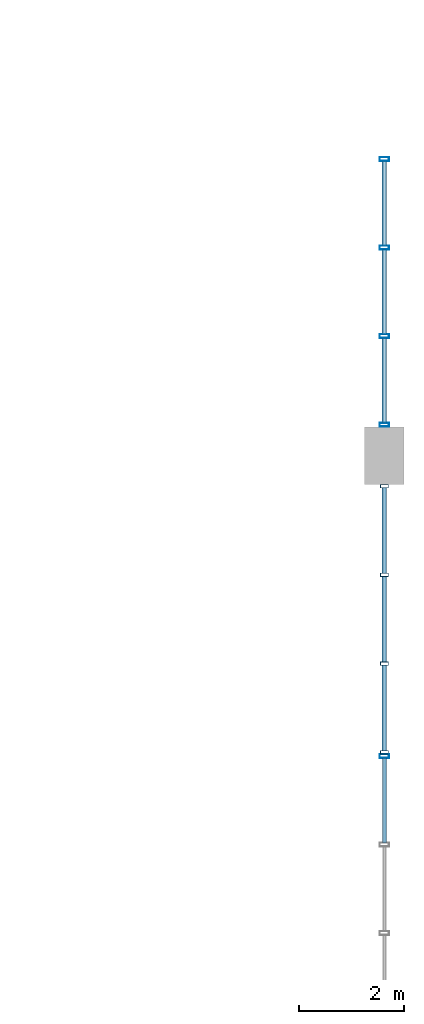
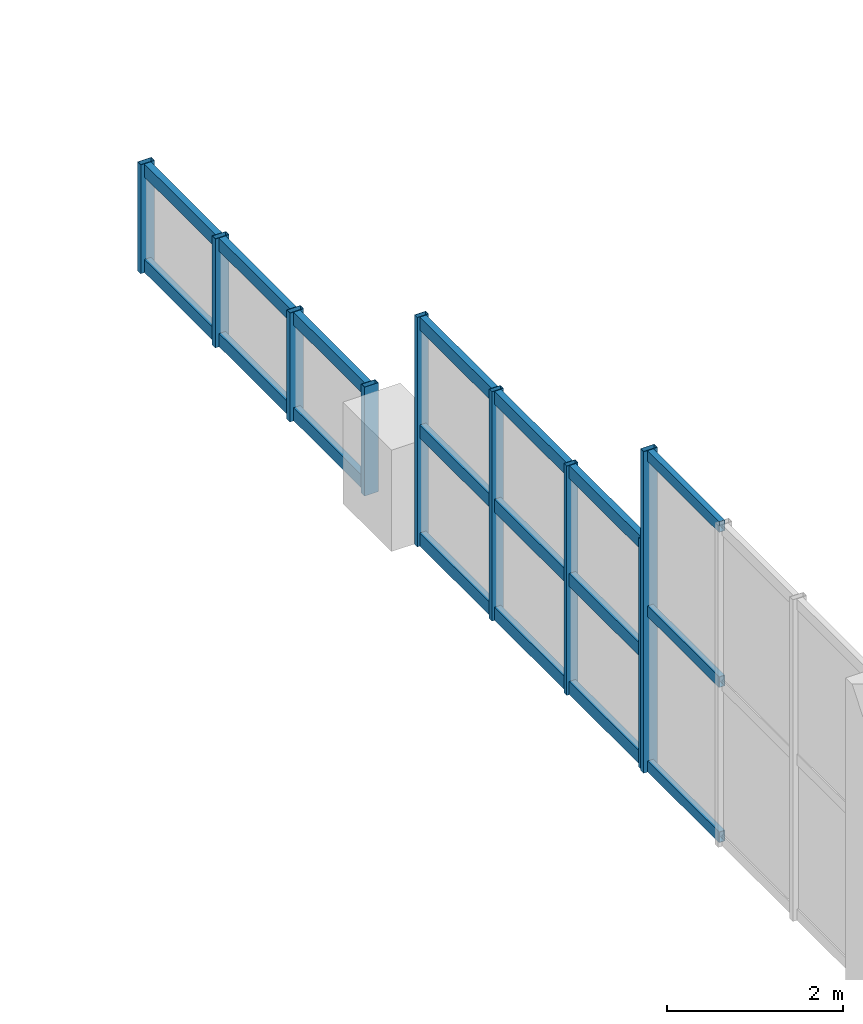
# One storey, part 23 of 48: 27 members, 3 elements without a shape of their own.
"""IFC4 building model written with IfcOpenShell, lengths in metres."""

import ifcopenshell
import ifcopenshell.guid

model = None  # the IFC model being written
_history = None  # IfcOwnerHistory: only IFC2X3 demands one
_inside = {}  # id of a spatial element -> (the spatial element, [elements in it])
_under = {}  # id of a project, library or spatial element -> (it, [spatial elements below it])
_declared = {}  # id of a project -> (the project, [libraries it declares])
_typed = {}  # id of a type object -> (the type object, [elements of that type])
_made_of = {}  # id of a material, layer set ... -> (it, [elements and type objects made of it])


def new_model(schema):
    """Start an empty IFC model of exactly this schema.

    Asked for "IFC4X3", IfcOpenShell would pick the latest addendum, in which some entities
    have other attributes; the version numbers below select the first issue.
    IFC2X3 requires an IfcOwnerHistory on every rooted entity: one is made here for all.
    """
    global model, _history
    if schema == "IFC4X3":
        model = ifcopenshell.file(schema_version=(4, 3, 0, 0))
    else:
        model = ifcopenshell.file(schema=schema)
    _inside.clear()
    _under.clear()
    _declared.clear()
    _typed.clear()
    _made_of.clear()
    _history = None
    if model.schema == "IFC2X3":
        org = make("IfcOrganization", Name="unknown")
        user = make(
            "IfcPersonAndOrganization",
            ThePerson=make("IfcPerson", FamilyName="unknown"),
            TheOrganization=org,
        )
        app = make(
            "IfcApplication",
            ApplicationDeveloper=org,
            Version="unknown",
            ApplicationFullName="unknown",
            ApplicationIdentifier="unknown",
        )
        _history = make(
            "IfcOwnerHistory",
            OwningUser=user,
            OwningApplication=app,
            ChangeAction="ADDED",
            CreationDate=0,
        )
    return model


def make(cls, **values):
    """One entity of the class cls with the attributes given. An attribute that is None is left unset."""
    return model.create_entity(
        cls, **{name: value for name, value in values.items() if value is not None}
    )


def rooted(cls, **values):
    """An entity with a GlobalId (a new one), such as an element, a storey or a relation."""
    return make(cls, GlobalId=ifcopenshell.guid.new(), OwnerHistory=_history, **values)


def si_unit(unit_type, name, prefix=None):
    """IfcSIUnit, for example si_unit("LENGTHUNIT", "METRE", prefix="MILLI")."""
    return make("IfcSIUnit", UnitType=unit_type, Prefix=prefix, Name=name)


def assignment(units):
    """IfcUnitAssignment: the units of a project."""
    return None if units is None else make("IfcUnitAssignment", Units=units)


def point(xyz):
    """IfcCartesianPoint."""
    return None if xyz is None else make("IfcCartesianPoint", Coordinates=xyz)


def direction(xyz):
    """IfcDirection."""
    return None if xyz is None else make("IfcDirection", DirectionRatios=xyz)


def frame(location, z_axis=None, x_axis=None):
    """IfcAxis2Placement3D, a coordinate frame: its origin and axes. An axis left out is left unset."""
    return make(
        "IfcAxis2Placement3D",
        Location=point(location),
        Axis=direction(z_axis),
        RefDirection=direction(x_axis),
    )


def frame_2d(location, x_axis=None):
    """IfcAxis2Placement2D, a coordinate frame in the plane: its origin and x axis."""
    return make(
        "IfcAxis2Placement2D", Location=point(location), RefDirection=direction(x_axis)
    )


def origin():
    """The frame at (0, 0, 0) with its axes left unset."""
    return frame((0.0, 0.0, 0.0))


def origin_2d():
    """The frame at (0, 0) in the plane with its x axis left unset."""
    return frame_2d((0.0, 0.0))


def place(relative_to, where):
    """IfcLocalPlacement: puts the frame where relative to a parent placement (None: the world)."""
    return make(
        "IfcLocalPlacement", PlacementRelTo=relative_to, RelativePlacement=where
    )


def context(
    kind, dimensions, precision=None, world=None, true_north=None, identifier=None
):
    """IfcGeometricRepresentationContext, for example the 3D "Model" context."""
    return make(
        "IfcGeometricRepresentationContext",
        ContextIdentifier=identifier,
        ContextType=kind,
        CoordinateSpaceDimension=dimensions,
        Precision=precision,
        WorldCoordinateSystem=world,
        TrueNorth=true_north,
    )


def subcontext(parent, identifier, kind, view, scale=None):
    """IfcGeometricRepresentationSubContext, for example "Body" below "Model"."""
    return make(
        "IfcGeometricRepresentationSubContext",
        ContextIdentifier=identifier,
        ContextType=kind,
        ParentContext=parent,
        TargetScale=scale,
        TargetView=view,
    )


def project(units=None, contexts=None):
    """IfcProject with its units and contexts."""
    return rooted(
        "IfcProject",
        Name="project",
        RepresentationContexts=contexts,
        UnitsInContext=assignment(units),
    )


def spatial(cls, under=None, at=None, **own):
    """A site, building, storey or space (cls), placed at a placement, below another one or the project."""
    s = rooted(cls, ObjectPlacement=at, **own)
    if under is not None:
        _under.setdefault(under.id(), (under, []))[1].append(s)
    return s


def profile(cls, at=None, kind="AREA", **sizes):
    """A parametric profile (cls). Its sizes go by their IFC names, for example OverallWidth=200.0."""
    return make(cls, ProfileType=kind, Position=at, **sizes)


def hollow_rectangle(**sizes):
    """IfcRectangleHollowProfileDef."""
    return profile("IfcRectangleHollowProfileDef", **sizes)


def extrude(swept, where, along, depth):
    """IfcExtrudedAreaSolid: the profile swept, set in the frame where, extruded along a direction by depth."""
    return make(
        "IfcExtrudedAreaSolid",
        SweptArea=swept,
        Position=where,
        ExtrudedDirection=direction(along),
        Depth=depth,
    )


def shape(context_of_items, identifier, shape_type, items):
    """IfcShapeRepresentation: the items that make up one representation, for example the "Body"."""
    return make(
        "IfcShapeRepresentation",
        ContextOfItems=context_of_items,
        RepresentationIdentifier=identifier,
        RepresentationType=shape_type,
        Items=items,
    )


def material(Name=None, Category=None):
    """IfcMaterial."""
    return make("IfcMaterial", Name=Name, Category=Category)


def layer(
    of_material, thickness, ventilated=None, Name=None, Category=None, Priority=None
):
    """IfcMaterialLayer: one layer of a wall or slab, of a material (None: an air gap)."""
    return make(
        "IfcMaterialLayer",
        Material=of_material,
        LayerThickness=thickness,
        IsVentilated=ventilated,
        Name=Name,
        Category=Category,
        Priority=Priority,
    )


def layer_set(layers, Name=None):
    """IfcMaterialLayerSet."""
    return make("IfcMaterialLayerSet", MaterialLayers=layers, LayerSetName=Name)


def material_profile(
    of_material, cross_section, Name=None, Category=None, Priority=None
):
    """IfcMaterialProfile: a cross section and its material."""
    return make(
        "IfcMaterialProfile",
        Name=Name,
        Material=of_material,
        Profile=cross_section,
        Priority=Priority,
        Category=Category,
    )


def profile_set(profiles, Name=None, composite=None):
    """IfcMaterialProfileSet."""
    return make(
        "IfcMaterialProfileSet",
        Name=Name,
        MaterialProfiles=profiles,
        CompositeProfile=composite,
    )


def made_of(thing, what):
    """Note that an element or type object is made of a material, layer set ...; save() writes the relation."""
    if what is not None:
        _made_of.setdefault(what.id(), (what, []))[1].append(thing)
    return thing


def type_object(cls, material=None, **own):
    """A type object (cls), such as IfcWallType, which elements share."""
    return made_of(rooted(cls, **own), material)


def element(
    cls,
    number,
    at=None,
    inside=None,
    cuts=None,
    type_object=None,
    material=None,
    context=None,
    identifier="Body",
    shape_type=None,
    held_by="IfcProductDefinitionShape",
    body=None,
    shapes=None,
    **own,
):
    """One element of the class cls, such as IfcWall. Its Tag is "e" and its number.

    at: its placement. inside: the storey or other place that contains it. cuts: it is an
    opening in that element (IfcRelVoidsElement). A single representation is given by context,
    identifier, shape_type and body (its items); several are given by shapes. held_by: the class
    of the entity that holds the representations. save() writes the other relations.
    """
    e = rooted(cls, Tag="e%d" % number, ObjectPlacement=at, **own)
    if body is not None:
        shapes = [shape(context, identifier, shape_type, body)]
    if shapes is not None:
        e.Representation = make(held_by, Representations=shapes)
    if inside is not None:
        _inside.setdefault(inside.id(), (inside, []))[1].append(e)
    if cuts is not None:
        rooted(
            "IfcRelVoidsElement", RelatingBuildingElement=cuts, RelatedOpeningElement=e
        )
    if type_object is not None:
        _typed.setdefault(type_object.id(), (type_object, []))[1].append(e)
    return made_of(e, material)


def aggregate(whole, parts):
    """IfcRelAggregates: a whole, such as a stair, and the parts it consists of."""
    return rooted("IfcRelAggregates", RelatingObject=whole, RelatedObjects=parts)


def save(model, path):
    """Write the relations noted so far, then the file.

    IfcRelAggregates (storeys below a building ...), IfcRelContainedInSpatialStructure (elements
    in a storey), IfcRelDefinesByType, IfcRelAssociatesMaterial and IfcRelDeclares: one each for
    every whole, place, type object, material and project.
    """
    for whole, parts in _under.values():
        aggregate(whole, parts)
    for where, things in _inside.values():
        rooted(
            "IfcRelContainedInSpatialStructure",
            RelatedElements=things,
            RelatingStructure=where,
        )
    for kind, things in _typed.values():
        rooted("IfcRelDefinesByType", RelatedObjects=things, RelatingType=kind)
    for what, things in _made_of.values():
        rooted("IfcRelAssociatesMaterial", RelatedObjects=things, RelatingMaterial=what)
    for by, libraries in _declared.values():
        rooted("IfcRelDeclares", RelatingContext=by, RelatedDefinitions=libraries)
    model.write(path)


model = new_model("IFC4")

# Units and contexts
model_context = context("Model", 3, precision=1e-05, world=origin(), true_north=direction((0.0, 1.0)))
body_context = subcontext(model_context, "Body", "Model", "MODEL_VIEW")
ifc_project = project(units=[si_unit("LENGTHUNIT", "METRE"), si_unit("AREAUNIT", "SQUARE_METRE"), si_unit("VOLUMEUNIT", "CUBIC_METRE"), si_unit("PLANEANGLEUNIT", "RADIAN"), si_unit("MASSUNIT", "GRAM", prefix="KILO"), si_unit("POWERUNIT", "WATT"), si_unit("THERMODYNAMICTEMPERATUREUNIT", "KELVIN")], contexts=[model_context])

# Site, building, storey
site_placement = place(None, origin())
site = spatial("IfcSite", under=ifc_project, at=site_placement, CompositionType="ELEMENT")
building_placement = place(site_placement, origin())
building = spatial("IfcBuilding", under=site, at=building_placement, Name="Kelmbourne Parkland Aquatics Centre", CompositionType="ELEMENT")
storey_placement = place(building_placement, frame((0.0, 0.0, 14.699951171875)))
storey = spatial("IfcBuildingStorey", under=building, at=storey_placement, Name="L03", CompositionType="ELEMENT", Elevation=14.699951171875)

# Curtain wall, members
ifc_material = material(Name="Thermally broken anodised aluminium framing", Category="aluminium")
ifc_layer_1 = layer(ifc_material, 0.179931640625)
ifc_layer_set_1 = layer_set([ifc_layer_1], Name="Thermally broken anodised aluminium framing")
curtain_wall_type_1 = type_object("IfcCurtainWallType", Name="CW-11", PredefinedType="NOTDEFINED", material=ifc_layer_set_1)
curtain_wall_1_placement = place(storey_placement, origin())
curtain_wall_1 = element("IfcCurtainWall", 1, at=curtain_wall_1_placement, inside=storey, type_object=curtain_wall_type_1, Name="Wave-hall clerestory curtain wall CW-L03-035", PredefinedType="NOTDEFINED")
ifc_material_profile_1 = material_profile(ifc_material, hollow_rectangle(XDim=0.06494140625, YDim=0.14990234375, WallThickness=0.00390625, at=origin_2d()), Name="CW-M 65x150")
ifc_profile_set_1 = profile_set([ifc_material_profile_1], Name="Thermally broken anodised aluminium framing")
member_type_1 = type_object("IfcMemberType", Name="MB-MUL-1", PredefinedType="MULLION", material=ifc_profile_set_1)
member_1_placement = place(storey_placement, frame((175.199951171875, 29.33251953125, 0.0), z_axis=(0.0, 0.0, 1.0), x_axis=(0.0, 1.0, 0.0)))
member_1 = element("IfcMember", 2, at=member_1_placement, type_object=member_type_1, Name="CW-L03-035 mullion 0", PredefinedType="MULLION", context=body_context, shape_type="SweptSolid", body=[
    extrude(hollow_rectangle(XDim=0.06494140625, YDim=0.14990234375, WallThickness=0.00390625, at=origin_2d()), origin(), (0.0, 0.0, 1.0), 3.17333984375),
])
member_2_placement = place(storey_placement, frame((175.199951171875, 31.02685546875, 0.0), z_axis=(0.0, 0.0, 1.0), x_axis=(0.0, 1.0, 0.0)))
member_2 = element("IfcMember", 3, at=member_2_placement, type_object=member_type_1, Name="CW-L03-035 mullion 1", PredefinedType="MULLION", context=body_context, shape_type="SweptSolid", body=[
    extrude(hollow_rectangle(XDim=0.06494140625, YDim=0.14990234375, WallThickness=0.00390625, at=origin_2d()), origin(), (0.0, 0.0, 1.0), 3.17333984375),
])
member_3_placement = place(storey_placement, frame((175.199951171875, 32.72119140625, 0.0), z_axis=(0.0, 0.0, 1.0), x_axis=(0.0, 1.0, 0.0)))
member_3 = element("IfcMember", 4, at=member_3_placement, type_object=member_type_1, Name="CW-L03-035 mullion 2", PredefinedType="MULLION", context=body_context, shape_type="SweptSolid", body=[
    extrude(hollow_rectangle(XDim=0.06494140625, YDim=0.14990234375, WallThickness=0.00390625, at=origin_2d()), origin(), (0.0, 0.0, 1.0), 3.17333984375),
])
member_4_placement = place(storey_placement, frame((175.199951171875, 34.41552734375, 0.0), z_axis=(0.0, 0.0, 1.0), x_axis=(0.0, 1.0, 0.0)))
member_4 = element("IfcMember", 5, at=member_4_placement, type_object=member_type_1, Name="CW-L03-035 mullion 3", PredefinedType="MULLION", context=body_context, shape_type="SweptSolid", body=[
    extrude(hollow_rectangle(XDim=0.06494140625, YDim=0.14990234375, WallThickness=0.00390625, at=origin_2d()), origin(), (0.0, 0.0, 1.0), 3.17333984375),
])

# Curtain wall, member
ifc_layer_2 = layer(ifc_material, 0.179931640625)
ifc_layer_set_2 = layer_set([ifc_layer_2], Name="Thermally broken anodised aluminium framing")
curtain_wall_type_2 = type_object("IfcCurtainWallType", Name="CW-07", PredefinedType="NOTDEFINED", material=ifc_layer_set_2)
curtain_wall_2_placement = place(storey_placement, origin())
curtain_wall_2 = element("IfcCurtainWall", 6, at=curtain_wall_2_placement, inside=storey, type_object=curtain_wall_type_2, Name="Wave-hall clerestory curtain wall CW-L03-031", PredefinedType="NOTDEFINED")
ifc_material_profile_2 = material_profile(ifc_material, hollow_rectangle(XDim=0.074951171875, YDim=0.179931640625, WallThickness=0.00439453125, at=origin_2d()), Name="CW-M 75x180")
ifc_profile_set_2 = profile_set([ifc_material_profile_2], Name="Thermally broken anodised aluminium framing")
member_type_2 = type_object("IfcMemberType", Name="MB-MUL-2", PredefinedType="MULLION", material=ifc_profile_set_2)
member_5_placement = place(storey_placement, frame((175.199951171875, 29.262451171875, 0.0), z_axis=(0.0, 0.0, 1.0), x_axis=(0.0, 1.0, 0.0)))
member_5 = element("IfcMember", 7, at=member_5_placement, type_object=member_type_2, Name="CW-L03-031 mullion 3", PredefinedType="MULLION", context=body_context, shape_type="SweptSolid", body=[
    extrude(hollow_rectangle(XDim=0.074951171875, YDim=0.179931640625, WallThickness=0.00439453125, at=origin_2d()), origin(), (0.0, 0.0, 1.0), 4.449951171875),
])

# Curtain wall, members
ifc_layer_3 = layer(ifc_material, 0.179931640625)
ifc_layer_set_3 = layer_set([ifc_layer_3], Name="Thermally broken anodised aluminium framing")
curtain_wall_type_3 = type_object("IfcCurtainWallType", Name="CW-17", PredefinedType="NOTDEFINED", material=ifc_layer_set_3)
curtain_wall_3_placement = place(storey_placement, origin())
curtain_wall_3 = element("IfcCurtainWall", 8, at=curtain_wall_3_placement, inside=storey, type_object=curtain_wall_type_3, Name="Wave-hall clerestory curtain wall CW-L03-041", PredefinedType="NOTDEFINED")
member_6_placement = place(storey_placement, frame((175.199951171875, 35.589599609375, 0.0), z_axis=(0.0, 0.0, 1.0), x_axis=(0.0, 1.0, 0.0)))
member_6 = element("IfcMember", 9, at=member_6_placement, type_object=member_type_2, Name="CW-L03-041 mullion 0", PredefinedType="MULLION", context=body_context, shape_type="SweptSolid", body=[
    extrude(hollow_rectangle(XDim=0.074951171875, YDim=0.179931640625, WallThickness=0.00439453125, at=origin_2d()), origin(), (0.0, 0.0, 1.0), 1.506591796875),
])
member_7_placement = place(storey_placement, frame((175.199951171875, 37.280517578125, 0.0), z_axis=(0.0, 0.0, 1.0), x_axis=(0.0, 1.0, 0.0)))
member_7 = element("IfcMember", 10, at=member_7_placement, type_object=member_type_2, Name="CW-L03-041 mullion 1", PredefinedType="MULLION", context=body_context, shape_type="SweptSolid", body=[
    extrude(hollow_rectangle(XDim=0.074951171875, YDim=0.179931640625, WallThickness=0.00439453125, at=origin_2d()), origin(), (0.0, 0.0, 1.0), 1.506591796875),
])
member_8_placement = place(storey_placement, frame((175.199951171875, 38.971435546875, 0.0), z_axis=(0.0, 0.0, 1.0), x_axis=(0.0, 1.0, 0.0)))
member_8 = element("IfcMember", 11, at=member_8_placement, type_object=member_type_2, Name="CW-L03-041 mullion 2", PredefinedType="MULLION", context=body_context, shape_type="SweptSolid", body=[
    extrude(hollow_rectangle(XDim=0.074951171875, YDim=0.179931640625, WallThickness=0.00439453125, at=origin_2d()), origin(), (0.0, 0.0, 1.0), 1.506591796875),
])
member_9_placement = place(storey_placement, frame((175.199951171875, 40.66259765625, 0.0), z_axis=(0.0, 0.0, 1.0), x_axis=(0.0, 1.0, 0.0)))
member_9 = element("IfcMember", 12, at=member_9_placement, type_object=member_type_2, Name="CW-L03-041 mullion 3", PredefinedType="MULLION", context=body_context, shape_type="SweptSolid", body=[
    extrude(hollow_rectangle(XDim=0.074951171875, YDim=0.179931640625, WallThickness=0.00439453125, at=origin_2d()), origin(), (0.0, 0.0, 1.0), 1.506591796875),
])

# Member
ifc_material_profile_3 = material_profile(ifc_material, hollow_rectangle(XDim=0.074951171875, YDim=0.14990234375, WallThickness=0.00390625, at=origin_2d()), Name="CW-T 75x150")
ifc_profile_set_3 = profile_set([ifc_material_profile_3], Name="Thermally broken anodised aluminium framing")
member_type_3 = type_object("IfcMemberType", Name="MB-TRN-2", PredefinedType="USERDEFINED", material=ifc_profile_set_3)
member_10_placement = place(storey_placement, frame((175.199951171875, 27.60498046875, 0.078125), z_axis=(0.0, 1.0, 0.0), x_axis=(-1.0, 0.0, 0.0)))
member_10 = element("IfcMember", 13, at=member_10_placement, type_object=member_type_3, Name="CW-L03-031 transom 0-2", ObjectType="TRANSOM", PredefinedType="USERDEFINED", context=body_context, shape_type="SweptSolid", body=[
    extrude(hollow_rectangle(XDim=0.074951171875, YDim=0.14990234375, WallThickness=0.00390625, at=origin_2d()), origin(), (0.0, 0.0, 1.0), 1.6240234375),
])

member_11_placement = place(storey_placement, frame((175.199951171875, 27.60498046875, 2.22509765625), z_axis=(0.0, 1.0, 0.0), x_axis=(-1.0, 0.0, 0.0)))
member_11 = element("IfcMember", 14, at=member_11_placement, type_object=member_type_3, Name="CW-L03-031 transom 1-2", ObjectType="TRANSOM", PredefinedType="USERDEFINED", context=body_context, shape_type="SweptSolid", body=[
    extrude(hollow_rectangle(XDim=0.074951171875, YDim=0.14990234375, WallThickness=0.00390625, at=origin_2d()), origin(), (0.0, 0.0, 1.0), 1.6240234375),
])

member_12_placement = place(storey_placement, frame((175.199951171875, 27.60498046875, 4.3720703125), z_axis=(0.0, 1.0, 0.0), x_axis=(-1.0, 0.0, 0.0)))
member_12 = element("IfcMember", 15, at=member_12_placement, type_object=member_type_3, Name="CW-L03-031 transom 2-2", ObjectType="TRANSOM", PredefinedType="USERDEFINED", context=body_context, shape_type="SweptSolid", body=[
    extrude(hollow_rectangle(XDim=0.074951171875, YDim=0.14990234375, WallThickness=0.00390625, at=origin_2d()), origin(), (0.0, 0.0, 1.0), 1.6240234375),
])

aggregate(curtain_wall_2, [member_5, member_10, member_11, member_12])

ifc_material_profile_4 = material_profile(ifc_material, hollow_rectangle(XDim=0.0849609375, YDim=0.179931640625, WallThickness=0.00439453125, at=origin_2d()), Name="CW-T 85x180")
ifc_profile_set_4 = profile_set([ifc_material_profile_4], Name="Thermally broken anodised aluminium framing")
member_type_4 = type_object("IfcMemberType", Name="MB-TRN-3", PredefinedType="USERDEFINED", material=ifc_profile_set_4)
member_13_placement = place(storey_placement, frame((175.199951171875, 29.361083984375, 0.093017578125), z_axis=(0.0, 1.0, 0.0), x_axis=(-1.0, 0.0, 0.0)))
member_13 = element("IfcMember", 16, at=member_13_placement, type_object=member_type_4, Name="CW-L03-035 transom 0-0", ObjectType="TRANSOM", PredefinedType="USERDEFINED", context=body_context, shape_type="SweptSolid", body=[
    extrude(hollow_rectangle(XDim=0.0849609375, YDim=0.179931640625, WallThickness=0.00439453125, at=origin_2d()), origin(), (0.0, 0.0, 1.0), 1.63720703125),
])

member_14_placement = place(storey_placement, frame((175.199951171875, 31.055419921875, 0.093017578125), z_axis=(0.0, 1.0, 0.0), x_axis=(-1.0, 0.0, 0.0)))
member_14 = element("IfcMember", 17, at=member_14_placement, type_object=member_type_4, Name="CW-L03-035 transom 0-1", ObjectType="TRANSOM", PredefinedType="USERDEFINED", context=body_context, shape_type="SweptSolid", body=[
    extrude(hollow_rectangle(XDim=0.0849609375, YDim=0.179931640625, WallThickness=0.00439453125, at=origin_2d()), origin(), (0.0, 0.0, 1.0), 1.63720703125),
])

member_15_placement = place(storey_placement, frame((175.199951171875, 32.749755859375, 0.093017578125), z_axis=(0.0, 1.0, 0.0), x_axis=(-1.0, 0.0, 0.0)))
member_15 = element("IfcMember", 18, at=member_15_placement, type_object=member_type_4, Name="CW-L03-035 transom 0-2", ObjectType="TRANSOM", PredefinedType="USERDEFINED", context=body_context, shape_type="SweptSolid", body=[
    extrude(hollow_rectangle(XDim=0.0849609375, YDim=0.179931640625, WallThickness=0.00439453125, at=origin_2d()), origin(), (0.0, 0.0, 1.0), 1.63720703125),
])

member_16_placement = place(storey_placement, frame((175.199951171875, 29.361083984375, 1.586669921875), z_axis=(0.0, 1.0, 0.0), x_axis=(-1.0, 0.0, 0.0)))
member_16 = element("IfcMember", 19, at=member_16_placement, type_object=member_type_4, Name="CW-L03-035 transom 1-0", ObjectType="TRANSOM", PredefinedType="USERDEFINED", context=body_context, shape_type="SweptSolid", body=[
    extrude(hollow_rectangle(XDim=0.0849609375, YDim=0.179931640625, WallThickness=0.00439453125, at=origin_2d()), origin(), (0.0, 0.0, 1.0), 1.63720703125),
])

member_17_placement = place(storey_placement, frame((175.199951171875, 31.055419921875, 1.586669921875), z_axis=(0.0, 1.0, 0.0), x_axis=(-1.0, 0.0, 0.0)))
member_17 = element("IfcMember", 20, at=member_17_placement, type_object=member_type_4, Name="CW-L03-035 transom 1-1", ObjectType="TRANSOM", PredefinedType="USERDEFINED", context=body_context, shape_type="SweptSolid", body=[
    extrude(hollow_rectangle(XDim=0.0849609375, YDim=0.179931640625, WallThickness=0.00439453125, at=origin_2d()), origin(), (0.0, 0.0, 1.0), 1.63720703125),
])

member_18_placement = place(storey_placement, frame((175.199951171875, 32.749755859375, 1.586669921875), z_axis=(0.0, 1.0, 0.0), x_axis=(-1.0, 0.0, 0.0)))
member_18 = element("IfcMember", 21, at=member_18_placement, type_object=member_type_4, Name="CW-L03-035 transom 1-2", ObjectType="TRANSOM", PredefinedType="USERDEFINED", context=body_context, shape_type="SweptSolid", body=[
    extrude(hollow_rectangle(XDim=0.0849609375, YDim=0.179931640625, WallThickness=0.00439453125, at=origin_2d()), origin(), (0.0, 0.0, 1.0), 1.63720703125),
])

member_19_placement = place(storey_placement, frame((175.199951171875, 29.361083984375, 3.080322265625), z_axis=(0.0, 1.0, 0.0), x_axis=(-1.0, 0.0, 0.0)))
member_19 = element("IfcMember", 22, at=member_19_placement, type_object=member_type_4, Name="CW-L03-035 transom 2-0", ObjectType="TRANSOM", PredefinedType="USERDEFINED", context=body_context, shape_type="SweptSolid", body=[
    extrude(hollow_rectangle(XDim=0.0849609375, YDim=0.179931640625, WallThickness=0.00439453125, at=origin_2d()), origin(), (0.0, 0.0, 1.0), 1.63720703125),
])

member_20_placement = place(storey_placement, frame((175.199951171875, 31.055419921875, 3.080322265625), z_axis=(0.0, 1.0, 0.0), x_axis=(-1.0, 0.0, 0.0)))
member_20 = element("IfcMember", 23, at=member_20_placement, type_object=member_type_4, Name="CW-L03-035 transom 2-1", ObjectType="TRANSOM", PredefinedType="USERDEFINED", context=body_context, shape_type="SweptSolid", body=[
    extrude(hollow_rectangle(XDim=0.0849609375, YDim=0.179931640625, WallThickness=0.00439453125, at=origin_2d()), origin(), (0.0, 0.0, 1.0), 1.63720703125),
])

member_21_placement = place(storey_placement, frame((175.199951171875, 32.749755859375, 3.080322265625), z_axis=(0.0, 1.0, 0.0), x_axis=(-1.0, 0.0, 0.0)))
member_21 = element("IfcMember", 24, at=member_21_placement, type_object=member_type_4, Name="CW-L03-035 transom 2-2", ObjectType="TRANSOM", PredefinedType="USERDEFINED", context=body_context, shape_type="SweptSolid", body=[
    extrude(hollow_rectangle(XDim=0.0849609375, YDim=0.179931640625, WallThickness=0.00439453125, at=origin_2d()), origin(), (0.0, 0.0, 1.0), 1.63720703125),
])

aggregate(curtain_wall_1, [member_1, member_2, member_3, member_4, member_13, member_14, member_15, member_16, member_17, member_18, member_19, member_20, member_21])

member_22_placement = place(storey_placement, frame((175.199951171875, 35.623046875, 0.093017578125), z_axis=(0.0, 1.0, 0.0), x_axis=(-1.0, 0.0, 0.0)))
member_22 = element("IfcMember", 25, at=member_22_placement, type_object=member_type_4, Name="CW-L03-041 transom 0-0", ObjectType="TRANSOM", PredefinedType="USERDEFINED", context=body_context, shape_type="SweptSolid", body=[
    extrude(hollow_rectangle(XDim=0.0849609375, YDim=0.179931640625, WallThickness=0.00439453125, at=origin_2d()), origin(), (0.0, 0.0, 1.0), 1.6240234375),
])

member_23_placement = place(storey_placement, frame((175.199951171875, 37.31396484375, 0.093017578125), z_axis=(0.0, 1.0, 0.0), x_axis=(-1.0, 0.0, 0.0)))
member_23 = element("IfcMember", 26, at=member_23_placement, type_object=member_type_4, Name="CW-L03-041 transom 0-1", ObjectType="TRANSOM", PredefinedType="USERDEFINED", context=body_context, shape_type="SweptSolid", body=[
    extrude(hollow_rectangle(XDim=0.0849609375, YDim=0.179931640625, WallThickness=0.00439453125, at=origin_2d()), origin(), (0.0, 0.0, 1.0), 1.6240234375),
])

member_24_placement = place(storey_placement, frame((175.199951171875, 39.0048828125, 0.093017578125), z_axis=(0.0, 1.0, 0.0), x_axis=(-1.0, 0.0, 0.0)))
member_24 = element("IfcMember", 27, at=member_24_placement, type_object=member_type_4, Name="CW-L03-041 transom 0-2", ObjectType="TRANSOM", PredefinedType="USERDEFINED", context=body_context, shape_type="SweptSolid", body=[
    extrude(hollow_rectangle(XDim=0.0849609375, YDim=0.179931640625, WallThickness=0.00439453125, at=origin_2d()), origin(), (0.0, 0.0, 1.0), 1.6240234375),
])

member_25_placement = place(storey_placement, frame((175.199951171875, 35.623046875, 1.41357421875), z_axis=(0.0, 1.0, 0.0), x_axis=(-1.0, 0.0, 0.0)))
member_25 = element("IfcMember", 28, at=member_25_placement, type_object=member_type_4, Name="CW-L03-041 transom 1-0", ObjectType="TRANSOM", PredefinedType="USERDEFINED", context=body_context, shape_type="SweptSolid", body=[
    extrude(hollow_rectangle(XDim=0.0849609375, YDim=0.179931640625, WallThickness=0.00439453125, at=origin_2d()), origin(), (0.0, 0.0, 1.0), 1.6240234375),
])

member_26_placement = place(storey_placement, frame((175.199951171875, 37.31396484375, 1.41357421875), z_axis=(0.0, 1.0, 0.0), x_axis=(-1.0, 0.0, 0.0)))
member_26 = element("IfcMember", 29, at=member_26_placement, type_object=member_type_4, Name="CW-L03-041 transom 1-1", ObjectType="TRANSOM", PredefinedType="USERDEFINED", context=body_context, shape_type="SweptSolid", body=[
    extrude(hollow_rectangle(XDim=0.0849609375, YDim=0.179931640625, WallThickness=0.00439453125, at=origin_2d()), origin(), (0.0, 0.0, 1.0), 1.6240234375),
])

member_27_placement = place(storey_placement, frame((175.199951171875, 39.0048828125, 1.41357421875), z_axis=(0.0, 1.0, 0.0), x_axis=(-1.0, 0.0, 0.0)))
member_27 = element("IfcMember", 30, at=member_27_placement, type_object=member_type_4, Name="CW-L03-041 transom 1-2", ObjectType="TRANSOM", PredefinedType="USERDEFINED", context=body_context, shape_type="SweptSolid", body=[
    extrude(hollow_rectangle(XDim=0.0849609375, YDim=0.179931640625, WallThickness=0.00439453125, at=origin_2d()), origin(), (0.0, 0.0, 1.0), 1.6240234375),
])

aggregate(curtain_wall_3, [member_6, member_7, member_8, member_9, member_22, member_23, member_24, member_25, member_26, member_27])

save(model, "model.ifc")
